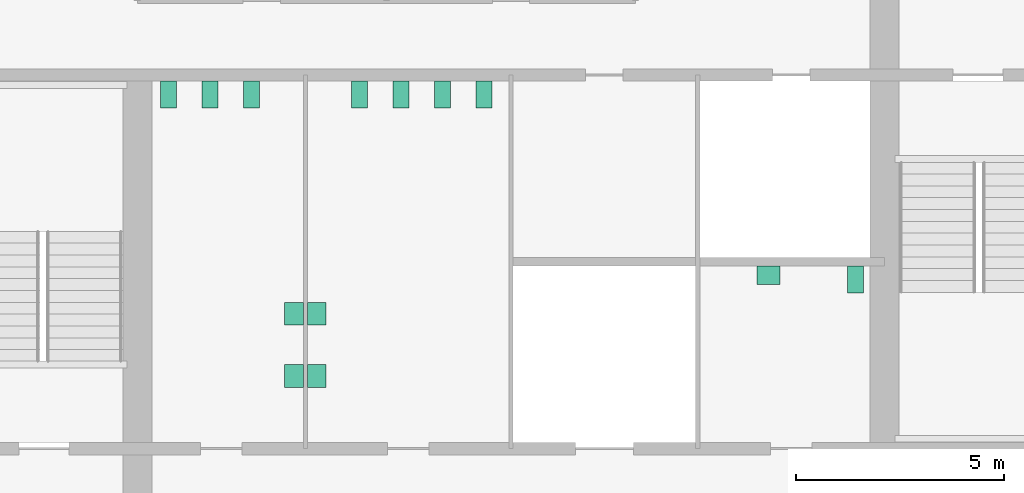
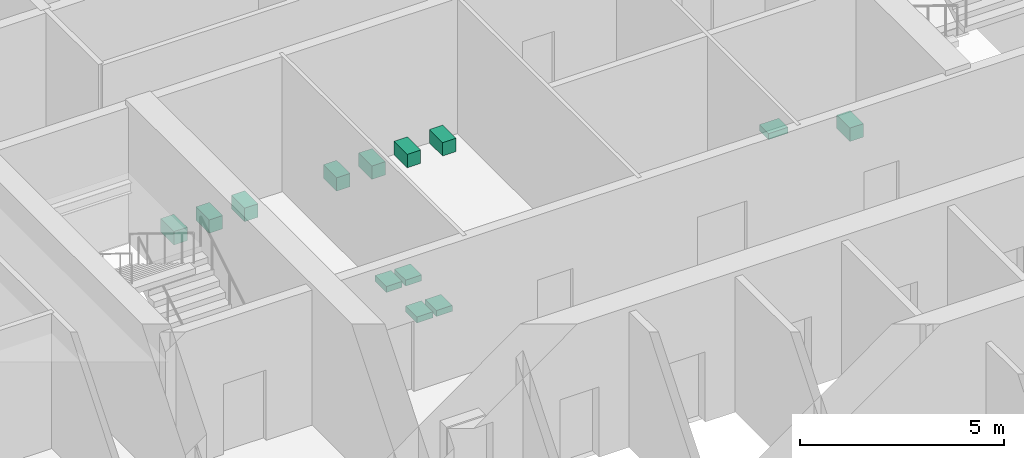
# One storey, part 13 of 13: 13 sanitary terminals.
"""IFC4 building model written with IfcOpenShell, lengths in metres."""

import ifcopenshell
import ifcopenshell.guid

model = None  # the IFC model being written
_history = None  # IfcOwnerHistory: only IFC2X3 demands one
_inside = {}  # id of a spatial element -> (the spatial element, [elements in it])
_under = {}  # id of a project, library or spatial element -> (it, [spatial elements below it])
_declared = {}  # id of a project -> (the project, [libraries it declares])
_typed = {}  # id of a type object -> (the type object, [elements of that type])
_made_of = {}  # id of a material, layer set ... -> (it, [elements and type objects made of it])


def new_model(schema):
    """Start an empty IFC model of exactly this schema.

    Asked for "IFC4X3", IfcOpenShell would pick the latest addendum, in which some entities
    have other attributes; the version numbers below select the first issue.
    IFC2X3 requires an IfcOwnerHistory on every rooted entity: one is made here for all.
    """
    global model, _history
    if schema == "IFC4X3":
        model = ifcopenshell.file(schema_version=(4, 3, 0, 0))
    else:
        model = ifcopenshell.file(schema=schema)
    _inside.clear()
    _under.clear()
    _declared.clear()
    _typed.clear()
    _made_of.clear()
    _history = None
    if model.schema == "IFC2X3":
        org = make("IfcOrganization", Name="unknown")
        user = make(
            "IfcPersonAndOrganization",
            ThePerson=make("IfcPerson", FamilyName="unknown"),
            TheOrganization=org,
        )
        app = make(
            "IfcApplication",
            ApplicationDeveloper=org,
            Version="unknown",
            ApplicationFullName="unknown",
            ApplicationIdentifier="unknown",
        )
        _history = make(
            "IfcOwnerHistory",
            OwningUser=user,
            OwningApplication=app,
            ChangeAction="ADDED",
            CreationDate=0,
        )
    return model


def make(cls, **values):
    """One entity of the class cls with the attributes given. An attribute that is None is left unset."""
    return model.create_entity(
        cls, **{name: value for name, value in values.items() if value is not None}
    )


def rooted(cls, **values):
    """An entity with a GlobalId (a new one), such as an element, a storey or a relation."""
    return make(cls, GlobalId=ifcopenshell.guid.new(), OwnerHistory=_history, **values)


def si_unit(unit_type, name, prefix=None):
    """IfcSIUnit, for example si_unit("LENGTHUNIT", "METRE", prefix="MILLI")."""
    return make("IfcSIUnit", UnitType=unit_type, Prefix=prefix, Name=name)


def assignment(units):
    """IfcUnitAssignment: the units of a project."""
    return None if units is None else make("IfcUnitAssignment", Units=units)


def point(xyz):
    """IfcCartesianPoint."""
    return None if xyz is None else make("IfcCartesianPoint", Coordinates=xyz)


def direction(xyz):
    """IfcDirection."""
    return None if xyz is None else make("IfcDirection", DirectionRatios=xyz)


def frame(location, z_axis=None, x_axis=None):
    """IfcAxis2Placement3D, a coordinate frame: its origin and axes. An axis left out is left unset."""
    return make(
        "IfcAxis2Placement3D",
        Location=point(location),
        Axis=direction(z_axis),
        RefDirection=direction(x_axis),
    )


def frame_2d(location, x_axis=None):
    """IfcAxis2Placement2D, a coordinate frame in the plane: its origin and x axis."""
    return make(
        "IfcAxis2Placement2D", Location=point(location), RefDirection=direction(x_axis)
    )


def origin():
    """The frame at (0, 0, 0) with its axes left unset."""
    return frame((0.0, 0.0, 0.0))


def origin_2d():
    """The frame at (0, 0) in the plane with its x axis left unset."""
    return frame_2d((0.0, 0.0))


def place(relative_to, where):
    """IfcLocalPlacement: puts the frame where relative to a parent placement (None: the world)."""
    return make(
        "IfcLocalPlacement", PlacementRelTo=relative_to, RelativePlacement=where
    )


def context(
    kind, dimensions, precision=None, world=None, true_north=None, identifier=None
):
    """IfcGeometricRepresentationContext, for example the 3D "Model" context."""
    return make(
        "IfcGeometricRepresentationContext",
        ContextIdentifier=identifier,
        ContextType=kind,
        CoordinateSpaceDimension=dimensions,
        Precision=precision,
        WorldCoordinateSystem=world,
        TrueNorth=true_north,
    )


def subcontext(parent, identifier, kind, view, scale=None):
    """IfcGeometricRepresentationSubContext, for example "Body" below "Model"."""
    return make(
        "IfcGeometricRepresentationSubContext",
        ContextIdentifier=identifier,
        ContextType=kind,
        ParentContext=parent,
        TargetScale=scale,
        TargetView=view,
    )


def project(units=None, contexts=None):
    """IfcProject with its units and contexts."""
    return rooted(
        "IfcProject",
        Name="project",
        RepresentationContexts=contexts,
        UnitsInContext=assignment(units),
    )


def spatial(cls, under=None, at=None, **own):
    """A site, building, storey or space (cls), placed at a placement, below another one or the project."""
    s = rooted(cls, ObjectPlacement=at, **own)
    if under is not None:
        _under.setdefault(under.id(), (under, []))[1].append(s)
    return s


def profile(cls, at=None, kind="AREA", **sizes):
    """A parametric profile (cls). Its sizes go by their IFC names, for example OverallWidth=200.0."""
    return make(cls, ProfileType=kind, Position=at, **sizes)


def rectangle(**sizes):
    """IfcRectangleProfileDef."""
    return profile("IfcRectangleProfileDef", **sizes)


def extrude(swept, where, along, depth):
    """IfcExtrudedAreaSolid: the profile swept, set in the frame where, extruded along a direction by depth."""
    return make(
        "IfcExtrudedAreaSolid",
        SweptArea=swept,
        Position=where,
        ExtrudedDirection=direction(along),
        Depth=depth,
    )


def shape(context_of_items, identifier, shape_type, items):
    """IfcShapeRepresentation: the items that make up one representation, for example the "Body"."""
    return make(
        "IfcShapeRepresentation",
        ContextOfItems=context_of_items,
        RepresentationIdentifier=identifier,
        RepresentationType=shape_type,
        Items=items,
    )


def material(Name=None, Category=None):
    """IfcMaterial."""
    return make("IfcMaterial", Name=Name, Category=Category)


def made_of(thing, what):
    """Note that an element or type object is made of a material, layer set ...; save() writes the relation."""
    if what is not None:
        _made_of.setdefault(what.id(), (what, []))[1].append(thing)
    return thing


def type_object(cls, material=None, **own):
    """A type object (cls), such as IfcWallType, which elements share."""
    return made_of(rooted(cls, **own), material)


def element(
    cls,
    number,
    at=None,
    inside=None,
    cuts=None,
    type_object=None,
    material=None,
    context=None,
    identifier="Body",
    shape_type=None,
    held_by="IfcProductDefinitionShape",
    body=None,
    shapes=None,
    **own,
):
    """One element of the class cls, such as IfcWall. Its Tag is "e" and its number.

    at: its placement. inside: the storey or other place that contains it. cuts: it is an
    opening in that element (IfcRelVoidsElement). A single representation is given by context,
    identifier, shape_type and body (its items); several are given by shapes. held_by: the class
    of the entity that holds the representations. save() writes the other relations.
    """
    e = rooted(cls, Tag="e%d" % number, ObjectPlacement=at, **own)
    if body is not None:
        shapes = [shape(context, identifier, shape_type, body)]
    if shapes is not None:
        e.Representation = make(held_by, Representations=shapes)
    if inside is not None:
        _inside.setdefault(inside.id(), (inside, []))[1].append(e)
    if cuts is not None:
        rooted(
            "IfcRelVoidsElement", RelatingBuildingElement=cuts, RelatedOpeningElement=e
        )
    if type_object is not None:
        _typed.setdefault(type_object.id(), (type_object, []))[1].append(e)
    return made_of(e, material)


def aggregate(whole, parts):
    """IfcRelAggregates: a whole, such as a stair, and the parts it consists of."""
    return rooted("IfcRelAggregates", RelatingObject=whole, RelatedObjects=parts)


def save(model, path):
    """Write the relations noted so far, then the file.

    IfcRelAggregates (storeys below a building ...), IfcRelContainedInSpatialStructure (elements
    in a storey), IfcRelDefinesByType, IfcRelAssociatesMaterial and IfcRelDeclares: one each for
    every whole, place, type object, material and project.
    """
    for whole, parts in _under.values():
        aggregate(whole, parts)
    for where, things in _inside.values():
        rooted(
            "IfcRelContainedInSpatialStructure",
            RelatedElements=things,
            RelatingStructure=where,
        )
    for kind, things in _typed.values():
        rooted("IfcRelDefinesByType", RelatedObjects=things, RelatingType=kind)
    for what, things in _made_of.values():
        rooted("IfcRelAssociatesMaterial", RelatedObjects=things, RelatingMaterial=what)
    for by, libraries in _declared.values():
        rooted("IfcRelDeclares", RelatingContext=by, RelatedDefinitions=libraries)
    model.write(path)


model = new_model("IFC4")

# Units and contexts
model_context = context("Model", 3, precision=1e-05, world=origin(), true_north=direction((0.0, 1.0)))
body_context = subcontext(model_context, "Body", "Model", "MODEL_VIEW")
ifc_project = project(units=[si_unit("LENGTHUNIT", "METRE"), si_unit("AREAUNIT", "SQUARE_METRE"), si_unit("VOLUMEUNIT", "CUBIC_METRE"), si_unit("PLANEANGLEUNIT", "RADIAN"), si_unit("MASSUNIT", "GRAM", prefix="KILO")], contexts=[model_context])

# Site, building, storey
site_placement = place(None, origin())
site = spatial("IfcSite", under=ifc_project, at=site_placement, CompositionType="ELEMENT")
building_placement = place(site_placement, origin())
building = spatial("IfcBuilding", under=site, at=building_placement, Name="Corais Broadcast Tower", CompositionType="ELEMENT")
storey_placement = place(building_placement, frame((0.0, 0.0, 62.60009765625)))
storey = spatial("IfcBuildingStorey", under=building, at=storey_placement, Name="L13", CompositionType="ELEMENT", Elevation=62.60009765625)

# Sanitary terminals
ifc_material_1 = material(Name="Vitreous china", Category="ceramic")
sanitary_terminal_type_1 = type_object("IfcSanitaryTerminalType", Name="WC pan 380x650", PredefinedType="TOILETPAN", material=ifc_material_1)
for number, where, z_axis, x_axis, name in (
    (1, (18.75, 31.02490234375, 0.0), (0.0, 0.0, 1.0), (1.0, 0.0, 0.0), "SW1 WC pan, male toilets L13"),
    (2, (19.75, 31.02490234375, 0.0), (0.0, 0.0, 1.0), (1.0, 0.0, 0.0), "SW1 WC pan, male toilets L13"),
    (3, (20.75, 31.02490234375, 0.0), (0.0, 0.0, 1.0), (1.0, 0.0, 0.0), "SW1 WC pan, male toilets L13"),
    (4, (23.35009765625, 31.02490234375, 0.0), (0.0, 0.0, 1.0), (1.0, 0.0, 0.0), "SW1 WC pan, female toilets L13"),
    (5, (24.35009765625, 31.02490234375, 0.0), (0.0, 0.0, 1.0), (1.0, 0.0, 0.0), "SW1 WC pan, female toilets L13"),
    (6, (25.35009765625, 31.02490234375, 0.0), (0.0, 0.0, 1.0), (1.0, 0.0, 0.0), "SW1 WC pan, female toilets L13"),
    (7, (26.35009765625, 31.02490234375, 0.0), (0.0, 0.0, 1.0), (1.0, 0.0, 0.0), "SW1 WC pan, female toilets L13"),
    (8, (35.300048828125, 26.574951171875, 0.0), (0.0, 0.0, 1.0), (1.0, 0.0, 0.0), "SW1 WC pan, accessible WC L13"),
):
    element("IfcSanitaryTerminal", number, at=place(storey_placement, frame(where, z_axis=z_axis, x_axis=x_axis)), inside=storey, type_object=sanitary_terminal_type_1, Name=name, PredefinedType="TOILETPAN", context=body_context, shape_type="SweptSolid", body=[
        extrude(rectangle(XDim=0.3798828125, YDim=0.64990234375, at=origin_2d()), origin(), (0.0, 0.0, 1.0), 0.39990234375),
    ])
ifc_material_2 = material(Name="Vitreous china", Category="ceramic")
sanitary_terminal_type_2 = type_object("IfcSanitaryTerminalType", Name="Wash basin 550x450", PredefinedType="WASHHANDBASIN", material=ifc_material_2)
for number, where, z_axis, x_axis, name in (
    (9, (21.77490234375, 24.25, 0.69970703125), (0.0, 0.0, 1.0), (1.0, 0.0, 0.0), "WB1 wash basin, male toilets L13"),
    (10, (21.77490234375, 25.75, 0.69970703125), (0.0, 0.0, 1.0), (1.0, 0.0, 0.0), "WB1 wash basin, male toilets L13"),
    (11, (22.324951171875, 24.25, 0.69970703125), (0.0, 0.0, 1.0), (1.0, 0.0, 0.0), "WB1 wash basin, female toilets L13"),
    (12, (22.324951171875, 25.75, 0.69970703125), (0.0, 0.0, 1.0), (1.0, 0.0, 0.0), "WB1 wash basin, female toilets L13"),
):
    element("IfcSanitaryTerminal", number, at=place(storey_placement, frame(where, z_axis=z_axis, x_axis=x_axis)), inside=storey, type_object=sanitary_terminal_type_2, Name=name, PredefinedType="WASHHANDBASIN", context=body_context, shape_type="SweptSolid", body=[
        extrude(rectangle(XDim=0.449951171875, YDim=0.550048828125, at=origin_2d()), origin(), (0.0, 0.0, 1.0), 0.179931640625),
    ])
sanitary_terminal_placement = place(storey_placement, frame((33.199951171875, 26.675048828125, 0.69970703125), z_axis=(0.0, 0.0, 1.0), x_axis=(1.0, 0.0, 0.0)))
element("IfcSanitaryTerminal", 13, at=sanitary_terminal_placement, inside=storey, type_object=sanitary_terminal_type_2, Name="WB1 wash basin, accessible WC L13", PredefinedType="WASHHANDBASIN", context=body_context, shape_type="SweptSolid", body=[
    extrude(rectangle(XDim=0.550048828125, YDim=0.449951171875, at=origin_2d()), origin(), (0.0, 0.0, 1.0), 0.179931640625),
])

save(model, "model.ifc")
